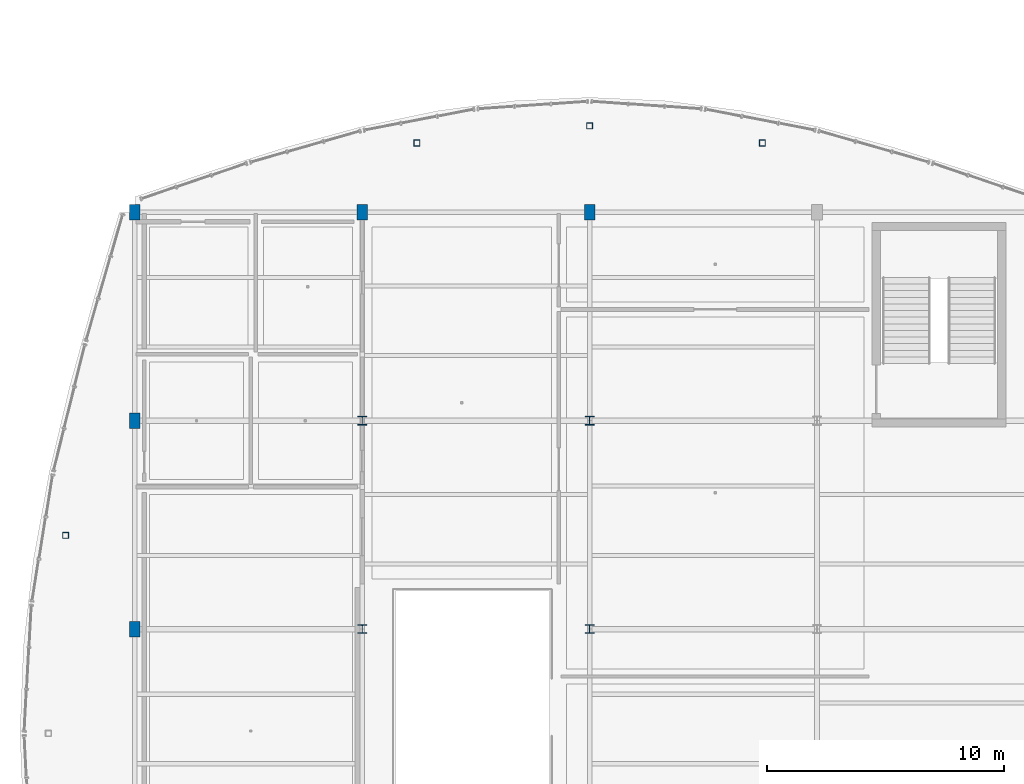
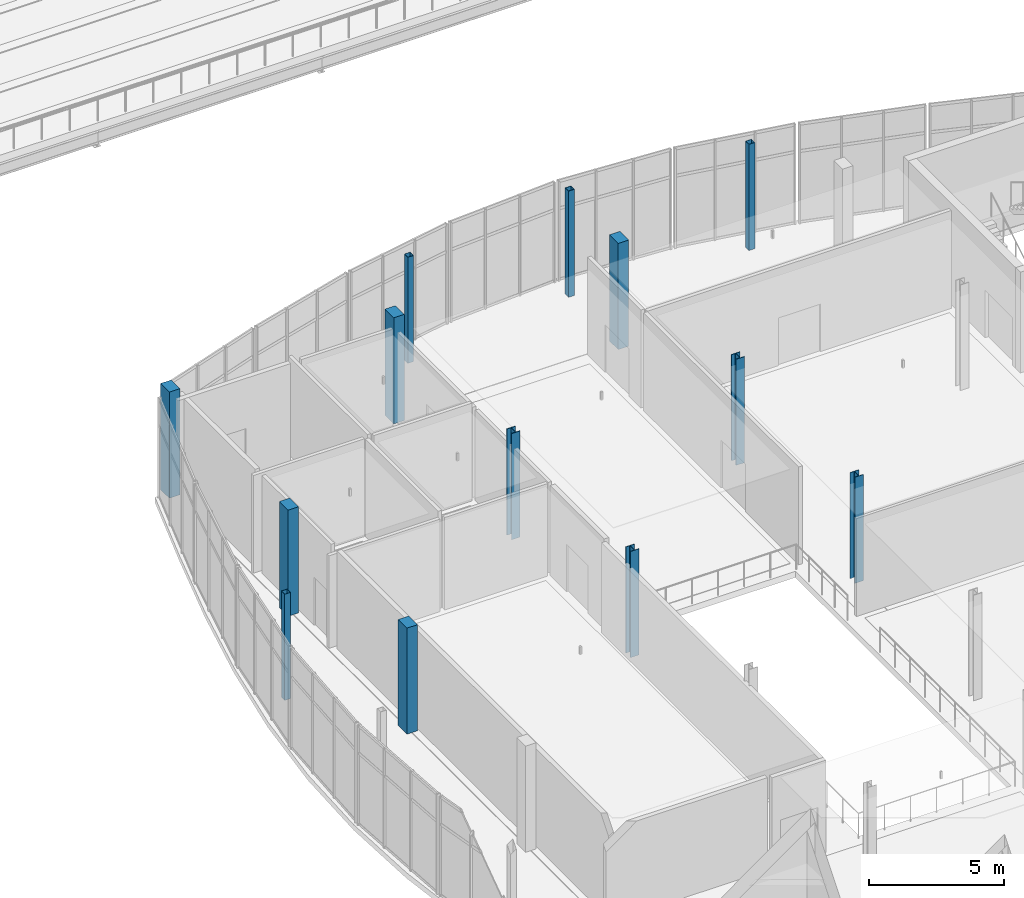
# One storey, part 3 of 157: 13 columns.
"""IFC4 building model written with IfcOpenShell, lengths in metres."""

from ifc_helpers import new_model, si_unit, direction, frame, origin, origin_2d, place, context, subcontext, project, spatial, rectangle, hollow_rectangle, i_section, extrude, material, material_profile, profile_set, type_object, element, save


model = new_model("IFC4")

# Units and contexts
model_context = context("Model", 3, precision=1e-05, world=origin(), true_north=direction((0.0, 1.0)))
body_context = subcontext(model_context, "Body", "Model", "MODEL_VIEW")
ifc_project = project(units=[si_unit("LENGTHUNIT", "METRE"), si_unit("AREAUNIT", "SQUARE_METRE"), si_unit("VOLUMEUNIT", "CUBIC_METRE"), si_unit("PLANEANGLEUNIT", "RADIAN"), si_unit("MASSUNIT", "GRAM", prefix="KILO")], contexts=[model_context])

# Site, building, storey
site_placement = place(None, origin())
site = spatial("IfcSite", under=ifc_project, at=site_placement, CompositionType="ELEMENT")
building_placement = place(site_placement, origin())
building = spatial("IfcBuilding", under=site, at=building_placement, Name="Chalmorin Arch Market", CompositionType="ELEMENT")
storey_placement = place(building_placement, frame((0.0, 0.0, 4.800048828125)))
storey = spatial("IfcBuildingStorey", under=building, at=storey_placement, Name="L01", CompositionType="ELEMENT", Elevation=4.800048828125)

# Columns
ifc_material_1 = material(Name="Steel A500 Grade C", Category="steel")
ifc_material_profile_1 = material_profile(ifc_material_1, hollow_rectangle(XDim=0.25390625, YDim=0.25390625, WallThickness=0.01171875, at=origin_2d()), Name="HSS10X10X1/2")
ifc_profile_set_1 = profile_set([ifc_material_profile_1], Name="Steel A500 Grade C")
column_type_1 = type_object("IfcColumnType", Name="SteelTubeColumn-HSS10X10", PredefinedType="COLUMN", material=ifc_profile_set_1)
for number, where, z_axis, x_axis, name in (
    (1, (11.904052734375, 52.924072265625, 0.0), (0.0, 0.0, 1.0), (1.0, 0.0, 0.0), "C-HS2-690"),
    (2, (19.199951171875, 53.64990234375, 0.0), (0.0, 0.0, 1.0), (1.0, 0.0, 0.0), "C-HS2-696"),
    (3, (-2.924072265625, 36.360107421875, 0.0), (0.0, 0.0, 1.0), (1.0, 0.0, 0.0), "C-HS2-699"),
    (4, (26.49609375, 52.924072265625, 0.0), (0.0, 0.0, 1.0), (1.0, 0.0, 0.0), "C-HS2-702"),
):
    element("IfcColumn", number, at=place(storey_placement, frame(where, z_axis=z_axis, x_axis=x_axis)), inside=storey, type_object=column_type_1, Name=name, PredefinedType="COLUMN", context=body_context, shape_type="SweptSolid", body=[
        extrude(hollow_rectangle(XDim=0.25390625, YDim=0.25390625, WallThickness=0.01171875, at=origin_2d()), origin(), (0.0, 0.0, 1.0), 4.800048828125),
    ])
ifc_material_2 = material(Name="Steel A992 Grade 50", Category="steel")
ifc_material_profile_2 = material_profile(ifc_material_2, i_section(OverallWidth=0.367919921875, OverallDepth=0.367919921875, WebThickness=0.014892578125, FlangeThickness=0.02392578125, FilletRadius=0.02490234375, at=origin_2d()), Name="W14X120")
ifc_profile_set_2 = profile_set([ifc_material_profile_2], Name="Steel A992 Grade 50")
column_type_2 = type_object("IfcColumnType", Name="WideFlangeColumn-W14X120", PredefinedType="COLUMN", material=ifc_profile_set_2)
for number, where, z_axis, x_axis, name in (
    (5, (9.60009765625, 32.39990234375, 0.0), (0.0, 0.0, 1.0), (1.0, 0.0, 0.0), "C-ST1-055"),
    (6, (9.60009765625, 41.199951171875, 0.0), (0.0, 0.0, 1.0), (1.0, 0.0, 0.0), "C-ST1-059"),
    (7, (19.199951171875, 32.39990234375, 0.0), (0.0, 0.0, 1.0), (1.0, 0.0, 0.0), "C-ST1-092"),
    (8, (19.199951171875, 41.199951171875, 0.0), (0.0, 0.0, 1.0), (1.0, 0.0, 0.0), "C-ST1-096"),
):
    element("IfcColumn", number, at=place(storey_placement, frame(where, z_axis=z_axis, x_axis=x_axis)), inside=storey, type_object=column_type_2, Name=name, PredefinedType="COLUMN", context=body_context, shape_type="SweptSolid", body=[
        extrude(i_section(OverallWidth=0.367919921875, OverallDepth=0.367919921875, WebThickness=0.014892578125, FlangeThickness=0.02392578125, FilletRadius=0.02490234375, at=origin_2d()), origin(), (0.0, 0.0, 1.0), 4.800048828125),
    ])
ifc_material_3 = material(Name="Concrete C40/50", Category="concrete")
ifc_material_profile_3 = material_profile(ifc_material_3, rectangle(XDim=0.449951171875, YDim=0.64990234375, at=origin_2d()), Name="RC450X650")
ifc_profile_set_3 = profile_set([ifc_material_profile_3], Name="Concrete C40/50")
column_type_3 = type_object("IfcColumnType", Name="WingConcreteColumn-450x650", PredefinedType="COLUMN", material=ifc_profile_set_3)
for number, where, z_axis, x_axis, name in (
    (9, (0.0, 32.39990234375, 0.0), (0.0, 0.0, 1.0), (1.0, 0.0, 0.0), "C-RC4-017"),
    (10, (0.0, 41.199951171875, 0.0), (0.0, 0.0, 1.0), (1.0, 0.0, 0.0), "C-RC4-021"),
    (11, (0.0, 50.0, 0.0), (0.0, 0.0, 1.0), (1.0, 0.0, 0.0), "C-RC4-025"),
    (12, (9.60009765625, 50.0, 0.0), (0.0, 0.0, 1.0), (1.0, 0.0, 0.0), "C-RC4-063"),
    (13, (19.199951171875, 50.0, 0.0), (0.0, 0.0, 1.0), (1.0, 0.0, 0.0), "C-RC4-100"),
):
    element("IfcColumn", number, at=place(storey_placement, frame(where, z_axis=z_axis, x_axis=x_axis)), inside=storey, type_object=column_type_3, Name=name, PredefinedType="COLUMN", context=body_context, shape_type="SweptSolid", body=[
        extrude(rectangle(XDim=0.449951171875, YDim=0.64990234375, at=origin_2d()), origin(), (0.0, 0.0, 1.0), 4.800048828125),
    ])

save(model, "model.ifc")
